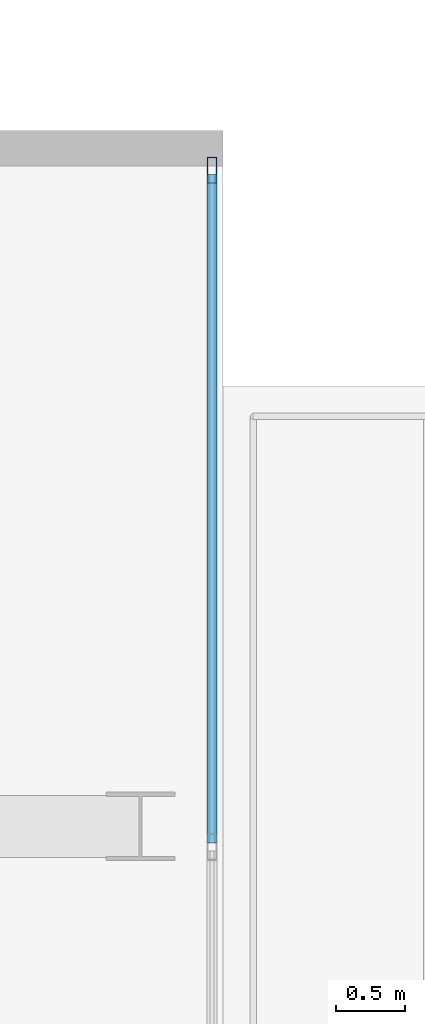
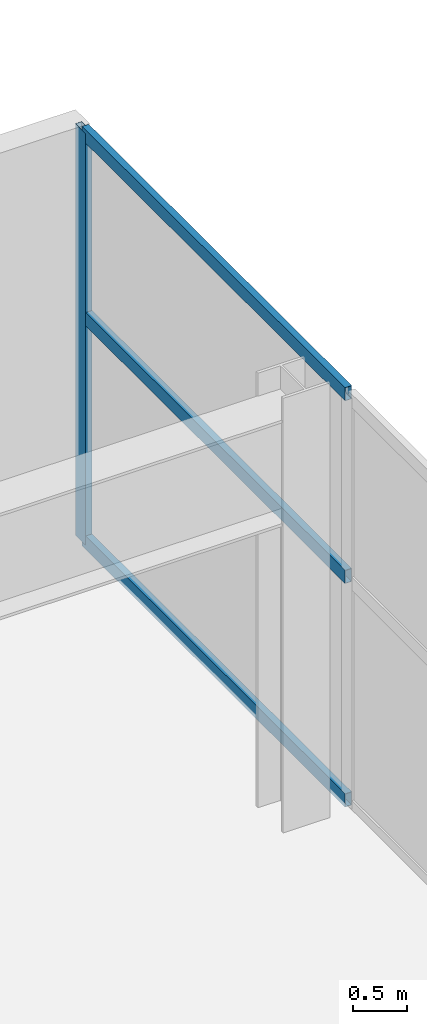
# One storey, part 14 of 22: 4 members, 1 element without a shape of its own.
"""IFC4 building model written with IfcOpenShell, lengths in metres."""

from ifc_helpers import new_model, si_unit, direction, frame, origin, origin_2d, place, context, subcontext, project, spatial, hollow_rectangle, extrude, material, layer, layer_set, material_profile, profile_set, type_object, element, aggregate, save


model = new_model("IFC4")

# Units and contexts
model_context = context("Model", 3, precision=1e-05, world=origin(), true_north=direction((0.0, 1.0)))
body_context = subcontext(model_context, "Body", "Model", "MODEL_VIEW")
ifc_project = project(units=[si_unit("LENGTHUNIT", "METRE"), si_unit("AREAUNIT", "SQUARE_METRE"), si_unit("VOLUMEUNIT", "CUBIC_METRE"), si_unit("PLANEANGLEUNIT", "RADIAN"), si_unit("MASSUNIT", "GRAM", prefix="KILO")], contexts=[model_context])

# Site, building, storey
site_placement = place(None, origin())
site = spatial("IfcSite", under=ifc_project, at=site_placement, CompositionType="ELEMENT")
building_placement = place(site_placement, origin())
building = spatial("IfcBuilding", under=site, at=building_placement, Name="Maruvema Waterfront Hotel and Observation Tower", CompositionType="ELEMENT")
storey_placement = place(building_placement, frame((0.0, 0.0, 354.199951171875)))
storey = spatial("IfcBuildingStorey", under=building, at=storey_placement, Name="L87", CompositionType="ELEMENT", Elevation=354.199951171875)

# Curtain wall, members
ifc_material_1 = material(Name="Anodised bronze aluminium and solar-control low-E IGU", Category="aluminium")
ifc_layer = layer(ifc_material_1, 0.159912109375, Name="Observation Crown Structural Glazed Curtain Wall System CW-06")
ifc_layer_set = layer_set([ifc_layer], Name="Anodised bronze aluminium and solar-control low-E IGU")
curtain_wall_type = type_object("IfcCurtainWallType", Name="Observation Crown Structural Glazed Curtain Wall System CW-06", PredefinedType="USERDEFINED", material=ifc_layer_set)
curtain_wall_placement = place(storey_placement, origin())
curtain_wall = element("IfcCurtainWall", 1, at=curtain_wall_placement, inside=storey, type_object=curtain_wall_type, Name="L87 Curtain Wall CW-L87-EN", ObjectType="UNITISED CURTAIN WALL", PredefinedType="USERDEFINED")
ifc_material_2 = material(Name="Anodised architectural bronze aluminium", Category="aluminium")
ifc_material_profile_1 = material_profile(ifc_material_2, hollow_rectangle(XDim=0.070068359375, YDim=0.14990234375, WallThickness=0.00390625, at=origin_2d()), Name="ALU-T70x150")
ifc_profile_set_1 = profile_set([ifc_material_profile_1], Name="Anodised architectural bronze aluminium")
member_type_1 = type_object("IfcMemberType", Name="Curtain Wall Horizontal Transom ALU-T70x150", PredefinedType="USERDEFINED", material=ifc_profile_set_1)
member_1_placement = place(storey_placement, frame((56.1201171875, 44.8798828125, 0.030029296875), z_axis=(0.0, 1.0, 0.0), x_axis=(-1.0, 0.0, 0.0)))
member_1 = element("IfcMember", 2, at=member_1_placement, type_object=member_type_1, Name="CW-06 transom 4.1", ObjectType="TRANSOM", PredefinedType="USERDEFINED", context=body_context, shape_type="SweptSolid", body=[
    extrude(hollow_rectangle(XDim=0.070068359375, YDim=0.14990234375, WallThickness=0.00390625, at=origin_2d()), origin(), (0.0, 0.0, 1.0), 4.860107421875),
])
member_2_placement = place(storey_placement, frame((56.1201171875, 44.8798828125, 2.550048828125), z_axis=(0.0, 1.0, 0.0), x_axis=(-1.0, 0.0, 0.0)))
member_2 = element("IfcMember", 3, at=member_2_placement, type_object=member_type_1, Name="CW-06 transom 4.2", ObjectType="TRANSOM", PredefinedType="USERDEFINED", context=body_context, shape_type="SweptSolid", body=[
    extrude(hollow_rectangle(XDim=0.070068359375, YDim=0.14990234375, WallThickness=0.00390625, at=origin_2d()), origin(), (0.0, 0.0, 1.0), 4.860107421875),
])
member_3_placement = place(storey_placement, frame((56.1201171875, 44.8798828125, 4.610107421875), z_axis=(0.0, 1.0, 0.0), x_axis=(-1.0, 0.0, 0.0)))
member_3 = element("IfcMember", 4, at=member_3_placement, type_object=member_type_1, Name="CW-06 transom 4.3", ObjectType="TRANSOM", PredefinedType="USERDEFINED", context=body_context, shape_type="SweptSolid", body=[
    extrude(hollow_rectangle(XDim=0.070068359375, YDim=0.14990234375, WallThickness=0.00390625, at=origin_2d()), origin(), (0.0, 0.0, 1.0), 4.860107421875),
])
ifc_material_3 = material(Name="Anodised architectural bronze aluminium", Category="aluminium")
ifc_material_profile_2 = material_profile(ifc_material_3, hollow_rectangle(XDim=0.070068359375, YDim=0.18994140625, WallThickness=0.00390625, at=origin_2d()), Name="ALU-M70x190")
ifc_profile_set_2 = profile_set([ifc_material_profile_2], Name="Anodised architectural bronze aluminium")
member_type_2 = type_object("IfcMemberType", Name="Podium Storefront Heavy Mullion ALU-M70x190", PredefinedType="MULLION", material=ifc_profile_set_2)
member_4_placement = place(storey_placement, frame((56.1201171875, 49.77001953125, 0.0), z_axis=(0.0, 0.0, 1.0), x_axis=(-1.0, 0.0, 0.0)))
member_4 = element("IfcMember", 5, at=member_4_placement, type_object=member_type_2, Name="CW-06 mullion 5", PredefinedType="MULLION", context=body_context, shape_type="SweptSolid", body=[
    extrude(hollow_rectangle(XDim=0.070068359375, YDim=0.18994140625, WallThickness=0.00390625, at=origin_2d()), origin(), (0.0, 0.0, 1.0), 4.64013671875),
])
aggregate(curtain_wall, [member_4, member_1, member_2, member_3])

save(model, "model.ifc")
